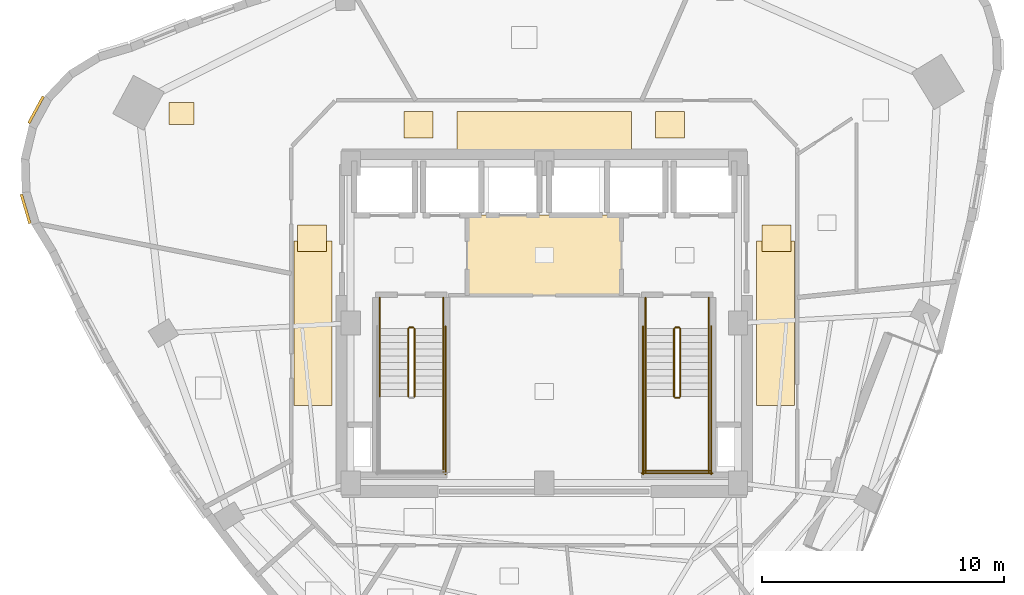
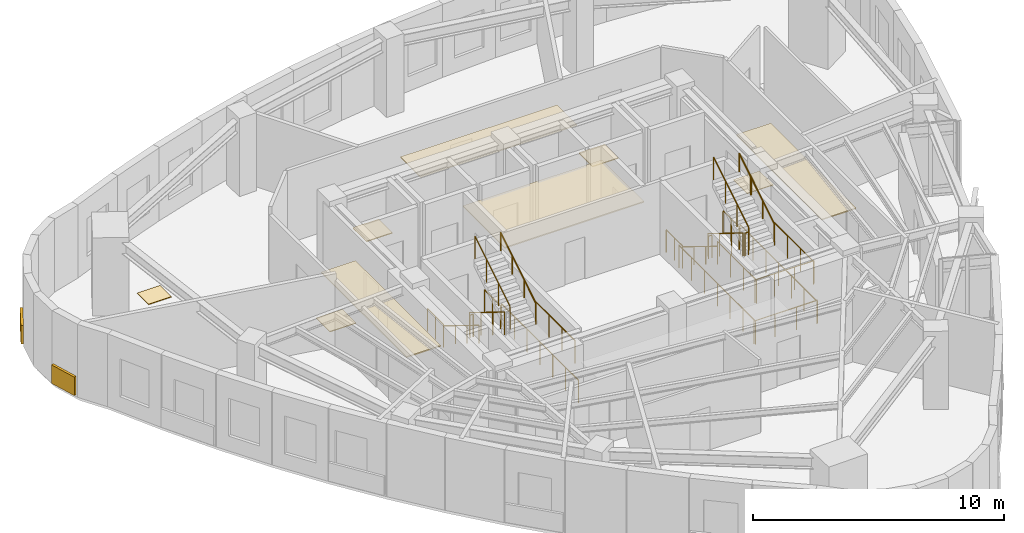
# One storey, part 9 of 10: 23 railings, 11 coverings.
"""IFC4 building model written with IfcOpenShell, lengths in metres."""

from ifc_helpers import new_model, si_unit, direction, frame, origin, origin_2d, place, context, subcontext, project, spatial, rectangle, circle, extrude, material, layer, layer_set, type_object, element, save


model = new_model("IFC4")

# Units and contexts
model_context = context("Model", 3, precision=1e-05, world=origin(), true_north=direction((0.0, 1.0)))
body_context = subcontext(model_context, "Body", "Model", "MODEL_VIEW")
ifc_project = project(units=[si_unit("LENGTHUNIT", "METRE"), si_unit("AREAUNIT", "SQUARE_METRE"), si_unit("VOLUMEUNIT", "CUBIC_METRE"), si_unit("PLANEANGLEUNIT", "RADIAN"), si_unit("MASSUNIT", "GRAM", prefix="KILO")], contexts=[model_context])

# Site, building, storey
site_placement = place(None, origin())
site = spatial("IfcSite", under=ifc_project, at=site_placement, CompositionType="ELEMENT")
building_placement = place(site_placement, origin())
building = spatial("IfcBuilding", under=site, at=building_placement, Name="Ndelora Gate Hotel", CompositionType="ELEMENT")
storey_placement = place(building_placement, frame((0.0, 0.0, 239.75)))
storey = spatial("IfcBuildingStorey", under=building, at=storey_placement, Name="L60", CompositionType="ELEMENT", Elevation=239.75)

# Coverings
ifc_material_1 = material(Name="Perforated Acoustic Gypsum Board", Category="gypsum")
ifc_layer_1 = layer(ifc_material_1, 0.054931640625)
ifc_layer_set_1 = layer_set([ifc_layer_1], Name="Perforated Acoustic Gypsum Board")
covering_type_1 = type_object("IfcCoveringType", Name="COV-CEIL-AC60", PredefinedType="CEILING", material=ifc_layer_set_1)
covering_1_placement = place(storey_placement, frame((0.0, 2.800048828125, 2.72265625), z_axis=(0.0, 0.0, 1.0), x_axis=(1.0, 0.0, 0.0)))
element("IfcCovering", 1, at=covering_1_placement, inside=storey, type_object=covering_type_1, Name="L60 Lift Lobby Acoustic Ceiling", PredefinedType="CEILING", context=body_context, shape_type="SweptSolid", body=[
    extrude(rectangle(XDim=6.39990234375, YDim=3.340087890625, at=origin_2d()), origin(), (0.0, 0.0, 1.0), 0.054931640625),
])
covering_2_placement = place(storey_placement, frame((0.0, 7.9599609375, 2.65234375), z_axis=(0.0, 0.0, 1.0), x_axis=(1.0, 0.0, 0.0)))
element("IfcCovering", 2, at=covering_2_placement, inside=storey, type_object=covering_type_1, Name="L60 Guest Corridor Acoustic Ceiling N", PredefinedType="CEILING", context=body_context, shape_type="SweptSolid", body=[
    extrude(rectangle(XDim=7.199951171875, YDim=1.580078125, at=origin_2d()), origin(), (0.0, 0.0, 1.0), 0.054931640625),
])
for number, where, z_axis, x_axis, name in (
    (3, (-9.550048828125, 0.0, 2.65234375), (0.0, 0.0, 1.0), (1.0, 0.0, 0.0), "L60 Guest Corridor Acoustic Ceiling W"),
    (4, (9.550048828125, 0.0, 2.65234375), (0.0, 0.0, 1.0), (1.0, 0.0, 0.0), "L60 Guest Corridor Acoustic Ceiling E"),
):
    element("IfcCovering", number, at=place(storey_placement, frame(where, z_axis=z_axis, x_axis=x_axis)), inside=storey, type_object=covering_type_1, Name=name, PredefinedType="CEILING", context=body_context, shape_type="SweptSolid", body=[
        extrude(rectangle(XDim=1.580078125, YDim=6.800048828125, at=origin_2d()), origin(), (0.0, 0.0, 1.0), 0.054931640625),
    ])
ifc_material_2 = material(Name="Terracotta Fired Clay Brick Slip Cladding", Category="masonry")
ifc_layer_2 = layer(ifc_material_2, 0.110107421875)
ifc_layer_set_2 = layer_set([ifc_layer_2], Name="Terracotta Fired Clay Brick Slip Cladding")
covering_type_2 = type_object("IfcCoveringType", Name="COV-CLAD-BRK", PredefinedType="CLADDING", material=ifc_layer_set_2)
covering_3_placement = place(storey_placement, frame((-20.993408203125, 8.81005859375, 0.10009765625), z_axis=(0.0, 0.0, 1.0), x_axis=(0.47715876026, 0.878817112662, 0.0)))
element("IfcCovering", 5, at=covering_3_placement, inside=storey, type_object=covering_type_2, Name="L60 Rounded-Corner Brick Cladding Band 4", PredefinedType="CLADDING", context=body_context, shape_type="SweptSolid", body=[
    extrude(rectangle(XDim=1.257080078125, YDim=0.110107421875, at=origin_2d()), origin(), (0.0, 0.0, 1.0), 0.89990234375),
])
covering_4_placement = place(storey_placement, frame((-21.42333984375, 4.719482421875, 0.10009765625), z_axis=(0.0, 0.0, 1.0), x_axis=(-0.284015344704, 0.958819734868, 0.0)))
element("IfcCovering", 6, at=covering_4_placement, inside=storey, type_object=covering_type_2, Name="L60 Rounded-Corner Brick Cladding Band 7", PredefinedType="CLADDING", context=body_context, shape_type="SweptSolid", body=[
    extrude(rectangle(XDim=1.258056640625, YDim=0.110107421875, at=origin_2d()), origin(), (0.0, 0.0, 1.0), 0.89990234375),
])
ifc_material_3 = material(Name="Engineered Highland Oak Parquet", Category="wood")
ifc_layer_3 = layer(ifc_material_3, 0.030029296875)
ifc_layer_set_3 = layer_set([ifc_layer_3], Name="Engineered Highland Oak Parquet")
covering_type_3 = type_object("IfcCoveringType", Name="COV-FLR-PARQ", PredefinedType="FLOORING", material=ifc_layer_set_3)
covering_5_placement = place(storey_placement, frame((-14.984375, 8.6611328125, 0.0), z_axis=(0.0, 0.0, 1.0), x_axis=(1.0, 0.0, 0.0)))
element("IfcCovering", 7, at=covering_5_placement, inside=storey, type_object=covering_type_3, Name="L60 State Banquet Dining Room Oak Parquet Flooring", PredefinedType="FLOORING", context=body_context, shape_type="SweptSolid", body=[
    extrude(rectangle(XDim=1.050048828125, YDim=0.89990234375, at=origin_2d()), origin(), (0.0, 0.0, 1.0), 0.030029296875),
])
ifc_material_4 = material(Name="Polished Highland Stone Terrazzo", Category="masonry")
ifc_layer_4 = layer(ifc_material_4, 0.034912109375)
ifc_layer_set_4 = layer_set([ifc_layer_4], Name="Polished Highland Stone Terrazzo")
covering_type_4 = type_object("IfcCoveringType", Name="COV-FLR-TERZ", PredefinedType="FLOORING", material=ifc_layer_set_4)
for number, where, z_axis, x_axis, name in (
    (8, (-5.199951171875, 8.199951171875, 0.0), (0.0, 0.0, 1.0), (1.0, 0.0, 0.0), "L60 Corridor Threshold Terrazzo Inlay NW"),
    (9, (5.199951171875, 8.199951171875, 0.0), (0.0, 0.0, 1.0), (1.0, 0.0, 0.0), "L60 Corridor Threshold Terrazzo Inlay NE"),
    (10, (-9.60009765625, 3.5, 0.0), (0.0, 0.0, 1.0), (1.0, 0.0, 0.0), "L60 Corridor Threshold Terrazzo Inlay W"),
    (11, (9.60009765625, 3.5, 0.0), (0.0, 0.0, 1.0), (1.0, 0.0, 0.0), "L60 Corridor Threshold Terrazzo Inlay E"),
):
    element("IfcCovering", number, at=place(storey_placement, frame(where, z_axis=z_axis, x_axis=x_axis)), inside=storey, type_object=covering_type_4, Name=name, PredefinedType="FLOORING", context=body_context, shape_type="SweptSolid", body=[
        extrude(rectangle(XDim=1.199951171875, YDim=1.10009765625, at=origin_2d()), origin(), (0.0, 0.0, 1.0), 0.034912109375),
    ])

# Railings
ifc_material_5 = material(Name="Painted Galvanized Steel Balustrade", Category="steel")
ifc_layer_5 = layer(ifc_material_5, 0.06005859375)
ifc_layer_set_5 = layer_set([ifc_layer_5], Name="Painted Galvanized Steel Balustrade")
railing_type_1 = type_object("IfcRailingType", Name="RL-STAIR-GD", PredefinedType="GUARDRAIL", material=ifc_layer_set_5)
railing_1_placement = place(storey_placement, frame((-5.6201171875, -0.22998046875, 0.172607421875)))
element("IfcRailing", 12, at=railing_1_placement, inside=storey, type_object=railing_type_1, Name="L60 ST4 stair guard 1", PredefinedType="GUARDRAIL", context=body_context, shape_type="SweptSolid", body=[
    extrude(circle(Radius=0.02392578125, at=origin_2d()), frame((0.0, 0.0, 1.10595703125), z_axis=(0.0, -0.851089632645, 0.525020415988), x_axis=(1.0, 0.0, 0.0)), (0.0, 0.0, 1.0), 3.2900390625),
    extrude(circle(Radius=0.02099609375, at=origin_2d()), origin(), (0.0, 0.0, 1.0), 1.081787109375),
    extrude(circle(Radius=0.02099609375, at=origin_2d()), frame((0.0, -0.933349609375, 0.57568359375)), (0.0, 0.0, 1.0), 1.081787109375),
    extrude(circle(Radius=0.02099609375, at=origin_2d()), frame((0.0, -1.86669921875, 1.151611328125)), (0.0, 0.0, 1.0), 1.081787109375),
    extrude(circle(Radius=0.02099609375, at=origin_2d()), frame((0.0, -2.800048828125, 1.727294921875)), (0.0, 0.0, 1.0), 1.081787109375),
])
railing_2_placement = place(storey_placement, frame((-4.179931640625, -3.030029296875, 1.89990234375)))
element("IfcRailing", 13, at=railing_2_placement, inside=storey, type_object=railing_type_1, Name="L60 ST4 stair guard 4", PredefinedType="GUARDRAIL", context=body_context, shape_type="SweptSolid", body=[
    extrude(circle(Radius=0.02392578125, at=origin_2d()), frame((0.0, 0.0, 1.10595703125), z_axis=(0.0, -1.0, 0.0), x_axis=(1.0, 0.0, 0.0)), (0.0, 0.0, 1.0), 3.119873046875),
    extrude(circle(Radius=0.02099609375, at=origin_2d()), origin(), (0.0, 0.0, 1.0), 1.081787109375),
    extrude(circle(Radius=0.02099609375, at=origin_2d()), frame((0.0, -1.0400390625, 0.0)), (0.0, 0.0, 1.0), 1.081787109375),
    extrude(circle(Radius=0.02099609375, at=origin_2d()), frame((0.0, -2.079833984375, 0.0)), (0.0, 0.0, 1.0), 1.081787109375),
    extrude(circle(Radius=0.02099609375, at=origin_2d()), frame((0.0, -3.119873046875, 0.0)), (0.0, 0.0, 1.0), 1.081787109375),
])
railing_3_placement = place(storey_placement, frame((-5.360107421875, -3.030029296875, 2.07275390625)))
element("IfcRailing", 14, at=railing_3_placement, inside=storey, type_object=railing_type_1, Name="L60 ST4 stair guard 6", PredefinedType="GUARDRAIL", context=body_context, shape_type="SweptSolid", body=[
    extrude(circle(Radius=0.02392578125, at=origin_2d()), frame((0.0, 0.0, 1.10595703125), z_axis=(0.0, 0.851089632645, 0.525020415988), x_axis=(-1.0, 0.0, 0.0)), (0.0, 0.0, 1.0), 3.2900390625),
    extrude(circle(Radius=0.02099609375, at=origin_2d()), origin(), (0.0, 0.0, 1.0), 1.081787109375),
    extrude(circle(Radius=0.02099609375, at=origin_2d()), frame((0.0, 0.933349609375, 0.57568359375)), (0.0, 0.0, 1.0), 1.081787109375),
    extrude(circle(Radius=0.02099609375, at=origin_2d()), frame((0.0, 1.86669921875, 1.151611328125)), (0.0, 0.0, 1.0), 1.081787109375),
    extrude(circle(Radius=0.02099609375, at=origin_2d()), frame((0.0, 2.800048828125, 1.727294921875)), (0.0, 0.0, 1.0), 1.081787109375),
])
railing_4_placement = place(storey_placement, frame((-5.570068359375, -0.179931640625, 0.0)))
element("IfcRailing", 15, at=railing_4_placement, inside=storey, type_object=railing_type_1, Name="L60 ST4 stair guard 7", PredefinedType="GUARDRAIL", context=body_context, shape_type="SweptSolid", body=[
    extrude(circle(Radius=0.02392578125, at=origin_2d()), frame((0.0, 0.0, 1.10595703125), z_axis=(1.0, 0.0, 0.0), x_axis=(0.0, 1.0, 0.0)), (0.0, 0.0, 1.0), 0.16015625),
    extrude(circle(Radius=0.02099609375, at=origin_2d()), origin(), (0.0, 0.0, 1.0), 1.081787109375),
    extrude(circle(Radius=0.02099609375, at=origin_2d()), frame((0.16015625, 0.0, 0.0)), (0.0, 0.0, 1.0), 1.081787109375),
])
for number, where, name in (
    (16, (-6.800048828125, 1.050048828125, 0.0), "L60 ST4 stair guard 8"),
    (17, (-4.179931640625, 1.050048828125, 0.0), "L60 ST4 stair guard 9"),
):
    element("IfcRailing", number, at=place(storey_placement, frame(where)), inside=storey, type_object=railing_type_1, Name=name, PredefinedType="GUARDRAIL", context=body_context, shape_type="SweptSolid", body=[
        extrude(circle(Radius=0.02392578125, at=origin_2d()), frame((0.0, 0.0, 1.10595703125), z_axis=(0.0, -1.0, 0.0), x_axis=(1.0, 0.0, 0.0)), (0.0, 0.0, 1.0), 1.280029296875),
        extrude(circle(Radius=0.02099609375, at=origin_2d()), origin(), (0.0, 0.0, 1.0), 1.081787109375),
        extrude(circle(Radius=0.02099609375, at=origin_2d()), frame((0.0, -0.64013671875, 0.0)), (0.0, 0.0, 1.0), 1.081787109375),
        extrude(circle(Radius=0.02099609375, at=origin_2d()), frame((0.0, -1.280029296875, 0.0)), (0.0, 0.0, 1.0), 1.081787109375),
    ])
railing_5_placement = place(storey_placement, frame((-4.080078125, -0.1298828125, 0.0)))
element("IfcRailing", 18, at=railing_5_placement, inside=storey, type_object=railing_type_1, Name="L60 ST4 stair guard 11", PredefinedType="GUARDRAIL", context=body_context, shape_type="SweptSolid", body=[
    extrude(circle(Radius=0.02392578125, at=origin_2d()), frame((0.0, 0.0, 1.10595703125), z_axis=(0.0, -1.0, 0.0), x_axis=(1.0, 0.0, 0.0)), (0.0, 0.0, 1.0), 6.1201171875),
    extrude(circle(Radius=0.02099609375, at=origin_2d()), origin(), (0.0, 0.0, 1.0), 1.081787109375),
    extrude(circle(Radius=0.02099609375, at=origin_2d()), frame((0.0, -1.02001953125, 0.0)), (0.0, 0.0, 1.0), 1.081787109375),
    extrude(circle(Radius=0.02099609375, at=origin_2d()), frame((0.0, -2.0400390625, 0.0)), (0.0, 0.0, 1.0), 1.081787109375),
    extrude(circle(Radius=0.02099609375, at=origin_2d()), frame((0.0, -3.06005859375, 0.0)), (0.0, 0.0, 1.0), 1.081787109375),
    extrude(circle(Radius=0.02099609375, at=origin_2d()), frame((0.0, -4.080078125, 0.0)), (0.0, 0.0, 1.0), 1.081787109375),
    extrude(circle(Radius=0.02099609375, at=origin_2d()), frame((0.0, -5.10009765625, 0.0)), (0.0, 0.0, 1.0), 1.081787109375),
    extrude(circle(Radius=0.02099609375, at=origin_2d()), frame((0.0, -6.1201171875, 0.0)), (0.0, 0.0, 1.0), 1.081787109375),
])
railing_6_placement = place(storey_placement, frame((5.360107421875, -0.22998046875, 0.172607421875)))
element("IfcRailing", 19, at=railing_6_placement, inside=storey, type_object=railing_type_1, Name="L60 ST5 stair guard 1", PredefinedType="GUARDRAIL", context=body_context, shape_type="SweptSolid", body=[
    extrude(circle(Radius=0.02392578125, at=origin_2d()), frame((0.0, 0.0, 1.10595703125), z_axis=(0.0, -0.851089632645, 0.525020415988), x_axis=(1.0, 0.0, 0.0)), (0.0, 0.0, 1.0), 3.2900390625),
    extrude(circle(Radius=0.02099609375, at=origin_2d()), origin(), (0.0, 0.0, 1.0), 1.081787109375),
    extrude(circle(Radius=0.02099609375, at=origin_2d()), frame((0.0, -0.933349609375, 0.57568359375)), (0.0, 0.0, 1.0), 1.081787109375),
    extrude(circle(Radius=0.02099609375, at=origin_2d()), frame((0.0, -1.86669921875, 1.151611328125)), (0.0, 0.0, 1.0), 1.081787109375),
    extrude(circle(Radius=0.02099609375, at=origin_2d()), frame((0.0, -2.800048828125, 1.727294921875)), (0.0, 0.0, 1.0), 1.081787109375),
])
railing_7_placement = place(storey_placement, frame((5.409912109375, -3.080078125, 1.89990234375)))
element("IfcRailing", 20, at=railing_7_placement, inside=storey, type_object=railing_type_1, Name="L60 ST5 stair guard 2", PredefinedType="GUARDRAIL", context=body_context, shape_type="SweptSolid", body=[
    extrude(circle(Radius=0.02392578125, at=origin_2d()), frame((0.0, 0.0, 1.10595703125), z_axis=(1.0, 0.0, 0.0), x_axis=(0.0, 1.0, 0.0)), (0.0, 0.0, 1.0), 0.16015625),
    extrude(circle(Radius=0.02099609375, at=origin_2d()), origin(), (0.0, 0.0, 1.0), 1.081787109375),
    extrude(circle(Radius=0.02099609375, at=origin_2d()), frame((0.16015625, 0.0, 0.0)), (0.0, 0.0, 1.0), 1.081787109375),
])
for number, where, name in (
    (21, (4.179931640625, -3.030029296875, 1.89990234375), "L60 ST5 stair guard 3"),
    (22, (6.800048828125, -3.030029296875, 1.89990234375), "L60 ST5 stair guard 4"),
):
    element("IfcRailing", number, at=place(storey_placement, frame(where)), inside=storey, type_object=railing_type_1, Name=name, PredefinedType="GUARDRAIL", context=body_context, shape_type="SweptSolid", body=[
        extrude(circle(Radius=0.02392578125, at=origin_2d()), frame((0.0, 0.0, 1.10595703125), z_axis=(0.0, -1.0, 0.0), x_axis=(1.0, 0.0, 0.0)), (0.0, 0.0, 1.0), 3.119873046875),
        extrude(circle(Radius=0.02099609375, at=origin_2d()), origin(), (0.0, 0.0, 1.0), 1.081787109375),
        extrude(circle(Radius=0.02099609375, at=origin_2d()), frame((0.0, -1.0400390625, 0.0)), (0.0, 0.0, 1.0), 1.081787109375),
        extrude(circle(Radius=0.02099609375, at=origin_2d()), frame((0.0, -2.079833984375, 0.0)), (0.0, 0.0, 1.0), 1.081787109375),
        extrude(circle(Radius=0.02099609375, at=origin_2d()), frame((0.0, -3.119873046875, 0.0)), (0.0, 0.0, 1.0), 1.081787109375),
    ])
railing_8_placement = place(storey_placement, frame((4.1298828125, -6.10009765625, 1.89990234375)))
element("IfcRailing", 23, at=railing_8_placement, inside=storey, type_object=railing_type_1, Name="L60 ST5 stair guard 5", PredefinedType="GUARDRAIL", context=body_context, shape_type="SweptSolid", body=[
    extrude(circle(Radius=0.02392578125, at=origin_2d()), frame((0.0, 0.0, 1.10595703125), z_axis=(1.0, 0.0, 0.0), x_axis=(0.0, 1.0, 0.0)), (0.0, 0.0, 1.0), 2.72021484375),
    extrude(circle(Radius=0.02099609375, at=origin_2d()), origin(), (0.0, 0.0, 1.0), 1.081787109375),
    extrude(circle(Radius=0.02099609375, at=origin_2d()), frame((0.90673828125, 0.0, 0.0)), (0.0, 0.0, 1.0), 1.081787109375),
    extrude(circle(Radius=0.02099609375, at=origin_2d()), frame((1.8134765625, 0.0, 0.0)), (0.0, 0.0, 1.0), 1.081787109375),
    extrude(circle(Radius=0.02099609375, at=origin_2d()), frame((2.72021484375, 0.0, 0.0)), (0.0, 0.0, 1.0), 1.081787109375),
])
railing_9_placement = place(storey_placement, frame((5.6201171875, -3.030029296875, 2.07275390625)))
element("IfcRailing", 24, at=railing_9_placement, inside=storey, type_object=railing_type_1, Name="L60 ST5 stair guard 6", PredefinedType="GUARDRAIL", context=body_context, shape_type="SweptSolid", body=[
    extrude(circle(Radius=0.02392578125, at=origin_2d()), frame((0.0, 0.0, 1.10595703125), z_axis=(0.0, 0.851089632645, 0.525020415988), x_axis=(-1.0, 0.0, 0.0)), (0.0, 0.0, 1.0), 3.2900390625),
    extrude(circle(Radius=0.02099609375, at=origin_2d()), origin(), (0.0, 0.0, 1.0), 1.081787109375),
    extrude(circle(Radius=0.02099609375, at=origin_2d()), frame((0.0, 0.933349609375, 0.57568359375)), (0.0, 0.0, 1.0), 1.081787109375),
    extrude(circle(Radius=0.02099609375, at=origin_2d()), frame((0.0, 1.86669921875, 1.151611328125)), (0.0, 0.0, 1.0), 1.081787109375),
    extrude(circle(Radius=0.02099609375, at=origin_2d()), frame((0.0, 2.800048828125, 1.727294921875)), (0.0, 0.0, 1.0), 1.081787109375),
])
railing_10_placement = place(storey_placement, frame((5.409912109375, -0.179931640625, 0.0)))
element("IfcRailing", 25, at=railing_10_placement, inside=storey, type_object=railing_type_1, Name="L60 ST5 stair guard 7", PredefinedType="GUARDRAIL", context=body_context, shape_type="SweptSolid", body=[
    extrude(circle(Radius=0.02392578125, at=origin_2d()), frame((0.0, 0.0, 1.10595703125), z_axis=(1.0, 0.0, 0.0), x_axis=(0.0, 1.0, 0.0)), (0.0, 0.0, 1.0), 0.16015625),
    extrude(circle(Radius=0.02099609375, at=origin_2d()), origin(), (0.0, 0.0, 1.0), 1.081787109375),
    extrude(circle(Radius=0.02099609375, at=origin_2d()), frame((0.16015625, 0.0, 0.0)), (0.0, 0.0, 1.0), 1.081787109375),
])
for number, where, name in (
    (26, (4.179931640625, 1.050048828125, 0.0), "L60 ST5 stair guard 8"),
    (27, (6.800048828125, 1.050048828125, 0.0), "L60 ST5 stair guard 9"),
):
    element("IfcRailing", number, at=place(storey_placement, frame(where)), inside=storey, type_object=railing_type_1, Name=name, PredefinedType="GUARDRAIL", context=body_context, shape_type="SweptSolid", body=[
        extrude(circle(Radius=0.02392578125, at=origin_2d()), frame((0.0, 0.0, 1.10595703125), z_axis=(0.0, -1.0, 0.0), x_axis=(1.0, 0.0, 0.0)), (0.0, 0.0, 1.0), 1.280029296875),
        extrude(circle(Radius=0.02099609375, at=origin_2d()), origin(), (0.0, 0.0, 1.0), 1.081787109375),
        extrude(circle(Radius=0.02099609375, at=origin_2d()), frame((0.0, -0.64013671875, 0.0)), (0.0, 0.0, 1.0), 1.081787109375),
        extrude(circle(Radius=0.02099609375, at=origin_2d()), frame((0.0, -1.280029296875, 0.0)), (0.0, 0.0, 1.0), 1.081787109375),
    ])
for number, where, name in (
    (28, (4.080078125, -0.1298828125, 0.0), "L60 ST5 stair guard 10"),
    (29, (6.89990234375, -0.1298828125, 0.0), "L60 ST5 stair guard 11"),
):
    element("IfcRailing", number, at=place(storey_placement, frame(where)), inside=storey, type_object=railing_type_1, Name=name, PredefinedType="GUARDRAIL", context=body_context, shape_type="SweptSolid", body=[
        extrude(circle(Radius=0.02392578125, at=origin_2d()), frame((0.0, 0.0, 1.10595703125), z_axis=(0.0, -1.0, 0.0), x_axis=(1.0, 0.0, 0.0)), (0.0, 0.0, 1.0), 6.1201171875),
        extrude(circle(Radius=0.02099609375, at=origin_2d()), origin(), (0.0, 0.0, 1.0), 1.081787109375),
        extrude(circle(Radius=0.02099609375, at=origin_2d()), frame((0.0, -1.02001953125, 0.0)), (0.0, 0.0, 1.0), 1.081787109375),
        extrude(circle(Radius=0.02099609375, at=origin_2d()), frame((0.0, -2.0400390625, 0.0)), (0.0, 0.0, 1.0), 1.081787109375),
        extrude(circle(Radius=0.02099609375, at=origin_2d()), frame((0.0, -3.06005859375, 0.0)), (0.0, 0.0, 1.0), 1.081787109375),
        extrude(circle(Radius=0.02099609375, at=origin_2d()), frame((0.0, -4.080078125, 0.0)), (0.0, 0.0, 1.0), 1.081787109375),
        extrude(circle(Radius=0.02099609375, at=origin_2d()), frame((0.0, -5.10009765625, 0.0)), (0.0, 0.0, 1.0), 1.081787109375),
        extrude(circle(Radius=0.02099609375, at=origin_2d()), frame((0.0, -6.1201171875, 0.0)), (0.0, 0.0, 1.0), 1.081787109375),
    ])
railing_11_placement = place(storey_placement, frame((4.030029296875, -6.199951171875, 0.0)))
element("IfcRailing", 30, at=railing_11_placement, inside=storey, type_object=railing_type_1, Name="L60 ST5 stair guard 12", PredefinedType="GUARDRAIL", context=body_context, shape_type="SweptSolid", body=[
    extrude(circle(Radius=0.02392578125, at=origin_2d()), frame((0.0, 0.0, 1.10595703125), z_axis=(1.0, 0.0, 0.0), x_axis=(0.0, 1.0, 0.0)), (0.0, 0.0, 1.0), 2.919921875),
    extrude(circle(Radius=0.02099609375, at=origin_2d()), origin(), (0.0, 0.0, 1.0), 1.081787109375),
    extrude(circle(Radius=0.02099609375, at=origin_2d()), frame((0.973388671875, 0.0, 0.0)), (0.0, 0.0, 1.0), 1.081787109375),
    extrude(circle(Radius=0.02099609375, at=origin_2d()), frame((1.946533203125, 0.0, 0.0)), (0.0, 0.0, 1.0), 1.081787109375),
    extrude(circle(Radius=0.02099609375, at=origin_2d()), frame((2.919921875, 0.0, 0.0)), (0.0, 0.0, 1.0), 1.081787109375),
])
ifc_material_6 = material(Name="Brushed Stainless Steel 316", Category="steel")
ifc_layer_6 = layer(ifc_material_6, 0.050048828125)
ifc_layer_set_6 = layer_set([ifc_layer_6], Name="Brushed Stainless Steel 316")
railing_type_2 = type_object("IfcRailingType", Name="RL-STAIR-HR", PredefinedType="HANDRAIL", material=ifc_layer_set_6)
railing_12_placement = place(storey_placement, frame((-6.800048828125, -0.22998046875, 0.172607421875)))
element("IfcRailing", 31, at=railing_12_placement, inside=storey, type_object=railing_type_2, Name="L60 ST4 stair handrail 1", PredefinedType="HANDRAIL", context=body_context, shape_type="SweptSolid", body=[
    extrude(circle(Radius=0.02392578125, at=origin_2d()), frame((0.0, 0.0, 0.8759765625), z_axis=(0.0, -0.851089632645, 0.525020415988), x_axis=(1.0, 0.0, 0.0)), (0.0, 0.0, 1.0), 3.2900390625),
    extrude(circle(Radius=0.02099609375, at=origin_2d()), origin(), (0.0, 0.0, 1.0), 0.851806640625),
    extrude(circle(Radius=0.02099609375, at=origin_2d()), frame((0.0, -0.933349609375, 0.57568359375)), (0.0, 0.0, 1.0), 0.851806640625),
    extrude(circle(Radius=0.02099609375, at=origin_2d()), frame((0.0, -1.86669921875, 1.151611328125)), (0.0, 0.0, 1.0), 0.851806640625),
    extrude(circle(Radius=0.02099609375, at=origin_2d()), frame((0.0, -2.800048828125, 1.727294921875)), (0.0, 0.0, 1.0), 0.851806640625),
])
railing_13_placement = place(storey_placement, frame((-4.179931640625, -3.030029296875, 2.07275390625)))
element("IfcRailing", 32, at=railing_13_placement, inside=storey, type_object=railing_type_2, Name="L60 ST4 stair handrail 2", PredefinedType="HANDRAIL", context=body_context, shape_type="SweptSolid", body=[
    extrude(circle(Radius=0.02392578125, at=origin_2d()), frame((0.0, 0.0, 0.8759765625), z_axis=(0.0, 0.851089632645, 0.525020415988), x_axis=(-1.0, 0.0, 0.0)), (0.0, 0.0, 1.0), 3.2900390625),
    extrude(circle(Radius=0.02099609375, at=origin_2d()), origin(), (0.0, 0.0, 1.0), 0.851806640625),
    extrude(circle(Radius=0.02099609375, at=origin_2d()), frame((0.0, 0.933349609375, 0.57568359375)), (0.0, 0.0, 1.0), 0.851806640625),
    extrude(circle(Radius=0.02099609375, at=origin_2d()), frame((0.0, 1.86669921875, 1.151611328125)), (0.0, 0.0, 1.0), 0.851806640625),
    extrude(circle(Radius=0.02099609375, at=origin_2d()), frame((0.0, 2.800048828125, 1.727294921875)), (0.0, 0.0, 1.0), 0.851806640625),
])
railing_14_placement = place(storey_placement, frame((4.179931640625, -0.22998046875, 0.172607421875)))
element("IfcRailing", 33, at=railing_14_placement, inside=storey, type_object=railing_type_2, Name="L60 ST5 stair handrail 1", PredefinedType="HANDRAIL", context=body_context, shape_type="SweptSolid", body=[
    extrude(circle(Radius=0.02392578125, at=origin_2d()), frame((0.0, 0.0, 0.8759765625), z_axis=(0.0, -0.851089632645, 0.525020415988), x_axis=(1.0, 0.0, 0.0)), (0.0, 0.0, 1.0), 3.2900390625),
    extrude(circle(Radius=0.02099609375, at=origin_2d()), origin(), (0.0, 0.0, 1.0), 0.851806640625),
    extrude(circle(Radius=0.02099609375, at=origin_2d()), frame((0.0, -0.933349609375, 0.57568359375)), (0.0, 0.0, 1.0), 0.851806640625),
    extrude(circle(Radius=0.02099609375, at=origin_2d()), frame((0.0, -1.86669921875, 1.151611328125)), (0.0, 0.0, 1.0), 0.851806640625),
    extrude(circle(Radius=0.02099609375, at=origin_2d()), frame((0.0, -2.800048828125, 1.727294921875)), (0.0, 0.0, 1.0), 0.851806640625),
])
railing_15_placement = place(storey_placement, frame((6.800048828125, -3.030029296875, 2.07275390625)))
element("IfcRailing", 34, at=railing_15_placement, inside=storey, type_object=railing_type_2, Name="L60 ST5 stair handrail 2", PredefinedType="HANDRAIL", context=body_context, shape_type="SweptSolid", body=[
    extrude(circle(Radius=0.02392578125, at=origin_2d()), frame((0.0, 0.0, 0.8759765625), z_axis=(0.0, 0.851089632645, 0.525020415988), x_axis=(-1.0, 0.0, 0.0)), (0.0, 0.0, 1.0), 3.2900390625),
    extrude(circle(Radius=0.02099609375, at=origin_2d()), origin(), (0.0, 0.0, 1.0), 0.851806640625),
    extrude(circle(Radius=0.02099609375, at=origin_2d()), frame((0.0, 0.933349609375, 0.57568359375)), (0.0, 0.0, 1.0), 0.851806640625),
    extrude(circle(Radius=0.02099609375, at=origin_2d()), frame((0.0, 1.86669921875, 1.151611328125)), (0.0, 0.0, 1.0), 0.851806640625),
    extrude(circle(Radius=0.02099609375, at=origin_2d()), frame((0.0, 2.800048828125, 1.727294921875)), (0.0, 0.0, 1.0), 0.851806640625),
])

save(model, "model.ifc")
